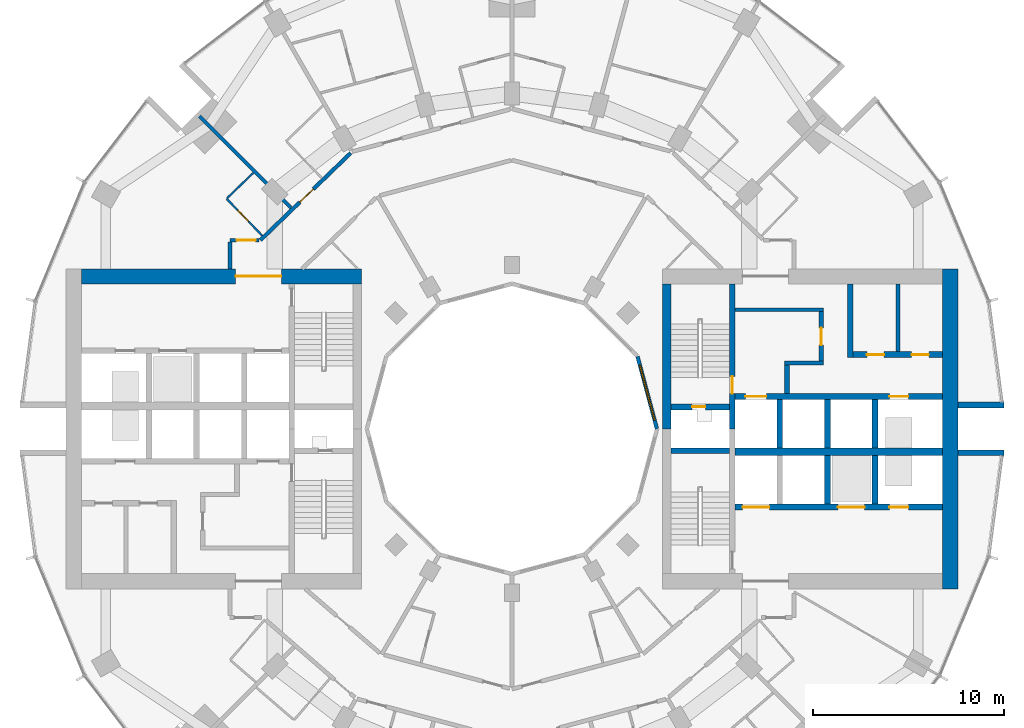
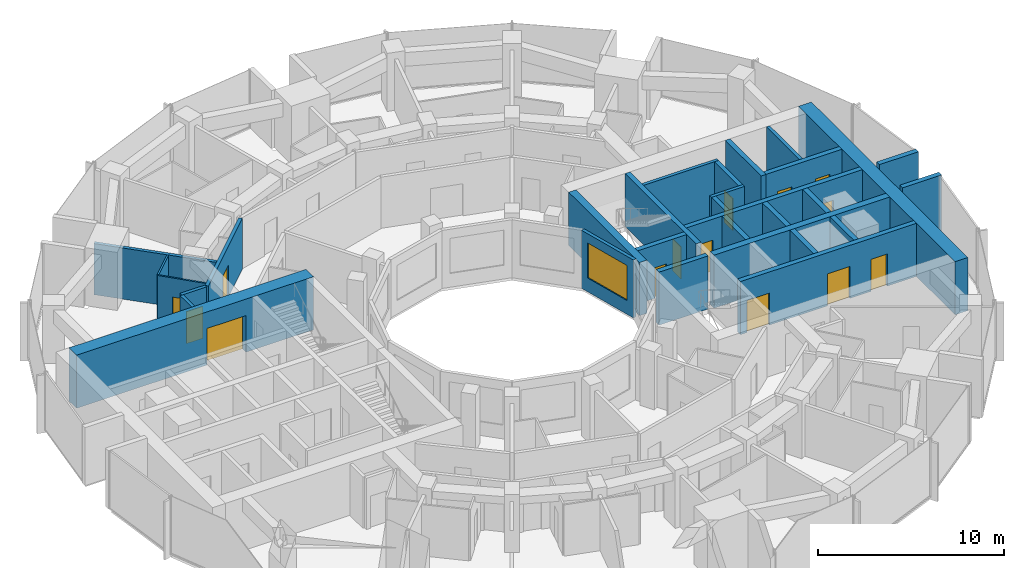
# One storey, part 11 of 15: 30 walls, 14 doors, 1 window, 15 openings.
"""IFC4 building model written with IfcOpenShell, lengths in metres."""

from ifc_helpers import new_model, si_unit, direction, frame, frame_2d, origin, place, context, subcontext, project, spatial, rectangle, extrude, material, layer, layer_set, type_object, element, fill, save


model = new_model("IFC4")

# Units and contexts
model_context = context("Model", 3, precision=1e-05, world=origin(), true_north=direction((0.0, 1.0)))
body_context = subcontext(model_context, "Body", "Model", "MODEL_VIEW")
ifc_project = project(units=[si_unit("LENGTHUNIT", "METRE"), si_unit("AREAUNIT", "SQUARE_METRE"), si_unit("VOLUMEUNIT", "CUBIC_METRE"), si_unit("PLANEANGLEUNIT", "RADIAN"), si_unit("MASSUNIT", "GRAM", prefix="KILO")], contexts=[model_context])

# Site, building, storey
site_placement = place(None, origin())
site = spatial("IfcSite", under=ifc_project, at=site_placement, CompositionType="ELEMENT")
building_placement = place(site_placement, origin())
building = spatial("IfcBuilding", under=site, at=building_placement, Name="Torre Brocal", CompositionType="ELEMENT")
storey_placement = place(building_placement, frame((0.0, 0.0, 40.199951171875)))
storey = spatial("IfcBuildingStorey", under=building, at=storey_placement, Name="L08", CompositionType="ELEMENT", Elevation=40.199951171875)

# Walls
ifc_material_1 = material(Name="Masonry block", Category="masonry")
ifc_layer_1 = layer(ifc_material_1, 0.199951171875)
ifc_layer_set_1 = layer_set([ifc_layer_1], Name="Masonry block")
wall_type_1 = type_object("IfcWallType", Name="CORE PARTITION 200", PredefinedType="PARTITIONING", material=ifc_layer_set_1)
wall_1_placement = place(storey_placement, frame((100.25, 79.050048828125, 0.0), z_axis=(0.0, 0.0, 1.0), x_axis=(0.0, 1.0, 0.0)))
element("IfcWall", 1, at=wall_1_placement, inside=storey, type_object=wall_type_1, Name="Wall CP200", PredefinedType="PARTITIONING", context=body_context, shape_type="SweptSolid", body=[
    extrude(rectangle(XDim=3.550048828125, YDim=0.199951171875, at=frame_2d((1.77490234375, 0.0))), origin(), (0.0, 0.0, 1.0), 3.47998046875),
])
ifc_material_2 = material(Name="Concrete C80", Category="concrete")
ifc_layer_2 = layer(ifc_material_2, 0.199951171875)
ifc_layer_set_2 = layer_set([ifc_layer_2], Name="Concrete C80")
wall_type_2 = type_object("IfcWallType", Name="CORE WALL 200 C80", PredefinedType="SHEAR", material=ifc_layer_set_2)
wall_2_placement = place(storey_placement, frame((91.699951171875, 81.25, 0.0), z_axis=(0.0, 0.0, 1.0), x_axis=(1.0, 0.0, 0.0)))
element("IfcWall", 2, at=wall_2_placement, inside=storey, type_object=wall_type_2, Name="Wall CW200-80", PredefinedType="SHEAR", context=body_context, shape_type="SweptSolid", body=[
    extrude(rectangle(XDim=4.650146484375, YDim=0.199951171875, at=frame_2d((2.3251953125, 0.0))), origin(), (0.0, 0.0, 1.0), 3.47998046875),
])
wall_3_placement = place(storey_placement, frame((94.300048828125, 78.449951171875, 0.0), z_axis=(0.0, 0.0, 1.0), x_axis=(1.0, 0.0, 0.0)))
element("IfcWall", 3, at=wall_3_placement, inside=storey, type_object=wall_type_2, Name="Wall CW200-80", PredefinedType="SHEAR", context=body_context, shape_type="SweptSolid", body=[
    extrude(rectangle(XDim=2.050048828125, YDim=0.199951171875, at=frame_2d((1.02490234375, 0.0))), origin(), (0.0, 0.0, 1.0), 3.47998046875),
])

# Wall, opening, door
ifc_material_3 = material(Name="Concrete C80", Category="concrete")
ifc_layer_3 = layer(ifc_material_3, 0.25)
ifc_layer_set_3 = layer_set([ifc_layer_3], Name="Concrete C80")
wall_type_3 = type_object("IfcWallType", Name="CORE WALL 250 C80", PredefinedType="SHEAR", material=ifc_layer_set_3)
wall_4_placement = place(storey_placement, frame((96.22509765625, 78.550048828125, 0.0), z_axis=(0.0, 0.0, 1.0), x_axis=(0.0, 1.0, 0.0)))
wall_4 = element("IfcWall", 4, at=wall_4_placement, inside=storey, type_object=wall_type_3, Name="Wall CW250-80", PredefinedType="SHEAR", context=body_context, shape_type="SweptSolid", body=[
    extrude(rectangle(XDim=2.599853515625, YDim=0.25, at=frame_2d((1.2998046875, 0.0))), origin(), (0.0, 0.0, 1.0), 3.47998046875),
])
opening_1_placement = place(wall_4_placement, frame((0.85009765625, 0.0, 0.0)))
opening_1 = element("IfcOpeningElement", 5, at=opening_1_placement, cuts=wall_4, Name="Opening E-D15", PredefinedType="OPENING", context=body_context, shape_type="SweptSolid", body=[
    extrude(rectangle(XDim=0.89990234375, YDim=2.10009765625, at=frame_2d((0.449951171875, 1.050048828125))), frame((0.0, 0.135009765625, 0.0), z_axis=(0.0, -1.0, 0.0), x_axis=(1.0, 0.0, 0.0)), (0.0, 0.0, 1.0), 0.27001953125),
])
ifc_material_4 = material(Name="Steel A653", Category="steel")
door_type_1 = type_object("IfcDoorType", Name="LOBBY DOOR FD120 900X2100", OperationType="SINGLE_SWING_RIGHT", PredefinedType="DOOR", material=ifc_material_4)
door_1_placement = place(opening_1_placement, origin())
door_1 = element("IfcDoor", 6, at=door_1_placement, inside=storey, type_object=door_type_1, Name="Door E-D15", OperationType="SINGLE_SWING_LEFT", OverallHeight=2.10009765625, OverallWidth=0.89990234375, PredefinedType="DOOR", context=body_context, shape_type="SweptSolid", body=[
    extrude(rectangle(XDim=0.89990234375, YDim=2.10009765625, at=frame_2d((0.449951171875, 1.050048828125))), frame((0.0, 0.02490234375, 0.0), z_axis=(0.0, -1.0, 0.0), x_axis=(1.0, 0.0, 0.0)), (0.0, 0.0, 1.0), 0.050048828125),
])
fill(opening_1, door_1)

# Wall
wall_5_placement = place(storey_placement, frame((94.425048828125, 76.85009765625, 0.0), z_axis=(0.0, 0.0, 1.0), x_axis=(0.0, 1.0, 0.0)))
element("IfcWall", 7, at=wall_5_placement, inside=storey, type_object=wall_type_3, Name="Wall CW250-80", PredefinedType="SHEAR", context=body_context, shape_type="SweptSolid", body=[
    extrude(rectangle(XDim=1.5, YDim=0.25, at=frame_2d((0.75, 0.0))), origin(), (0.0, 0.0, 1.0), 3.47998046875),
])

# Wall, opening, door
ifc_material_5 = material(Name="Concrete C80", Category="concrete")
ifc_layer_4 = layer(ifc_material_5, 0.300048828125)
ifc_layer_set_4 = layer_set([ifc_layer_4], Name="Concrete C80")
wall_type_4 = type_object("IfcWallType", Name="CORE WALL 300 C80", PredefinedType="SHEAR", material=ifc_layer_set_4)
wall_6_placement = place(storey_placement, frame((91.550048828125, 75.0, 0.0), z_axis=(0.0, 0.0, 1.0), x_axis=(0.0, 1.0, 0.0)))
wall_6 = element("IfcWall", 8, at=wall_6_placement, inside=storey, type_object=wall_type_4, Name="Wall CW300-80", PredefinedType="SHEAR", context=body_context, shape_type="SweptSolid", body=[
    extrude(rectangle(XDim=7.60009765625, YDim=0.300048828125, at=frame_2d((3.800048828125, 0.0))), origin(), (0.0, 0.0, 1.0), 3.47998046875),
])
opening_2_placement = place(wall_6_placement, frame((1.85009765625, 0.0, 0.0)))
opening_2 = element("IfcOpeningElement", 9, at=opening_2_placement, cuts=wall_6, Name="Opening E-D02", PredefinedType="OPENING", context=body_context, shape_type="SweptSolid", body=[
    extrude(rectangle(XDim=0.89990234375, YDim=2.10009765625, at=frame_2d((0.449951171875, 1.050048828125))), frame((0.0, 0.159912109375, 0.0), z_axis=(0.0, -1.0, 0.0), x_axis=(1.0, 0.0, 0.0)), (0.0, 0.0, 1.0), 0.320068359375),
])
ifc_material_6 = material(Name="Steel A653", Category="steel")
door_type_2 = type_object("IfcDoorType", Name="STAIR DOOR FD120 900X2100", OperationType="SINGLE_SWING_RIGHT", PredefinedType="DOOR", material=ifc_material_6)
door_2_placement = place(opening_2_placement, origin())
door_2 = element("IfcDoor", 10, at=door_2_placement, inside=storey, type_object=door_type_2, Name="Door E-D02", OperationType="SINGLE_SWING_LEFT", OverallHeight=2.10009765625, OverallWidth=0.89990234375, PredefinedType="DOOR", context=body_context, shape_type="SweptSolid", body=[
    extrude(rectangle(XDim=0.89990234375, YDim=2.10009765625, at=frame_2d((0.449951171875, 1.050048828125))), frame((0.0, 0.02490234375, 0.0), z_axis=(0.0, -1.0, 0.0), x_axis=(1.0, 0.0, 0.0)), (0.0, 0.0, 1.0), 0.050048828125),
])
fill(opening_2, door_2)

wall_7_placement = place(storey_placement, frame((88.35009765625, 76.14990234375, 0.0), z_axis=(0.0, 0.0, 1.0), x_axis=(1.0, 0.0, 0.0)))
wall_7 = element("IfcWall", 11, at=wall_7_placement, inside=storey, type_object=wall_type_4, Name="Wall CW300-80", PredefinedType="SHEAR", context=body_context, shape_type="SweptSolid", body=[
    extrude(rectangle(XDim=3.0498046875, YDim=0.300048828125, at=frame_2d((1.52490234375, 0.0))), origin(), (0.0, 0.0, 1.0), 3.47998046875),
])
opening_3_placement = place(wall_7_placement, frame((1.10009765625, 0.0, 0.0)))
opening_3 = element("IfcOpeningElement", 12, at=opening_3_placement, cuts=wall_7, Name="Opening E-D01", PredefinedType="OPENING", context=body_context, shape_type="SweptSolid", body=[
    extrude(rectangle(XDim=0.699951171875, YDim=2.0, at=frame_2d((0.35009765625, 1.0))), frame((0.0, 0.159912109375, 0.0), z_axis=(0.0, -1.0, 0.0), x_axis=(1.0, 0.0, 0.0)), (0.0, 0.0, 1.0), 0.320068359375),
])
ifc_material_7 = material(Name="Steel A653", Category="steel")
door_type_3 = type_object("IfcDoorType", Name="RISER DOOR FD120 700X2000", OperationType="SINGLE_SWING_LEFT", PredefinedType="DOOR", material=ifc_material_7)
door_3_placement = place(opening_3_placement, frame((0.699951171875, 0.0, 0.0), z_axis=(0.0, 0.0, 1.0), x_axis=(-1.0, 0.0, 0.0)))
door_3 = element("IfcDoor", 13, at=door_3_placement, inside=storey, type_object=door_type_3, Name="Door E-D01", OperationType="SINGLE_SWING_RIGHT", OverallHeight=2.0, OverallWidth=0.699951171875, PredefinedType="DOOR", context=body_context, shape_type="SweptSolid", body=[
    extrude(rectangle(XDim=0.699951171875, YDim=2.0, at=frame_2d((0.35009765625, 1.0))), frame((0.0, 0.02490234375, 0.0), z_axis=(0.0, -1.0, 0.0), x_axis=(1.0, 0.0, 0.0)), (0.0, 0.0, 1.0), 0.050048828125),
])
fill(opening_3, door_3)

# Wall
wall_8_placement = place(storey_placement, frame((88.35009765625, 73.85009765625, 0.0), z_axis=(0.0, 0.0, 1.0), x_axis=(1.0, 0.0, 0.0)))
element("IfcWall", 14, at=wall_8_placement, inside=storey, type_object=wall_type_4, Name="Wall CW300-80", PredefinedType="SHEAR", context=body_context, shape_type="SweptSolid", body=[
    extrude(rectangle(XDim=3.0498046875, YDim=0.300048828125, at=frame_2d((1.52490234375, 0.0))), origin(), (0.0, 0.0, 1.0), 3.47998046875),
])

# Wall, openings, doors
wall_9_placement = place(storey_placement, frame((91.699951171875, 76.699951171875, 0.0), z_axis=(0.0, 0.0, 1.0), x_axis=(1.0, 0.0, 0.0)))
wall_9 = element("IfcWall", 15, at=wall_9_placement, inside=storey, type_object=wall_type_4, Name="Wall CW300-80", PredefinedType="SHEAR", context=body_context, shape_type="SweptSolid", body=[
    extrude(rectangle(XDim=10.900146484375, YDim=0.300048828125, at=frame_2d((5.4501953125, 0.0))), origin(), (0.0, 0.0, 1.0), 3.47998046875),
])
opening_4_placement = place(wall_9_placement, frame((0.550048828125, 0.0, 0.0)))
opening_4 = element("IfcOpeningElement", 16, at=opening_4_placement, cuts=wall_9, Name="Opening LD", PredefinedType="OPENING", context=body_context, shape_type="SweptSolid", body=[
    extrude(rectangle(XDim=1.10009765625, YDim=2.10009765625, at=frame_2d((0.550048828125, 1.050048828125))), frame((0.0, 0.159912109375, 0.0), z_axis=(0.0, -1.0, 0.0), x_axis=(1.0, 0.0, 0.0)), (0.0, 0.0, 1.0), 0.320068359375),
])
opening_5_placement = place(wall_9_placement, frame((8.10009765625, 0.0, 0.0)))
opening_5 = element("IfcOpeningElement", 17, at=opening_5_placement, cuts=wall_9, Name="Opening LD10", PredefinedType="OPENING", context=body_context, shape_type="SweptSolid", body=[
    extrude(rectangle(XDim=1.0, YDim=2.10009765625, at=frame_2d((0.5, 1.050048828125))), frame((0.0, 0.159912109375, 0.0), z_axis=(0.0, -1.0, 0.0), x_axis=(1.0, 0.0, 0.0)), (0.0, 0.0, 1.0), 0.320068359375),
])
ifc_material_8 = material(Name="Stainless steel AISI 316", Category="steel")
door_type_4 = type_object("IfcDoorType", Name="LIFT LANDING DOOR 1000X2100", OperationType="DOUBLE_DOOR_SLIDING", PredefinedType="DOOR", material=ifc_material_8)
door_4_placement = place(opening_5_placement, origin())
door_4 = element("IfcDoor", 18, at=door_4_placement, inside=storey, type_object=door_type_4, Name="Door LD10", OperationType="DOUBLE_DOOR_SLIDING", OverallHeight=2.10009765625, OverallWidth=1.0, PredefinedType="DOOR", context=body_context, shape_type="SweptSolid", body=[
    extrude(rectangle(XDim=1.0, YDim=2.10009765625, at=frame_2d((0.5, 1.050048828125))), frame((0.0, 0.02490234375, 0.0), z_axis=(0.0, -1.0, 0.0), x_axis=(1.0, 0.0, 0.0)), (0.0, 0.0, 1.0), 0.050048828125),
])
fill(opening_5, door_4)
ifc_material_9 = material(Name="Stainless steel AISI 316", Category="steel")
door_type_5 = type_object("IfcDoorType", Name="LIFT LANDING DOOR 1100X2100", OperationType="DOUBLE_DOOR_SLIDING", PredefinedType="DOOR", material=ifc_material_9)
door_5_placement = place(opening_4_placement, origin())
door_5 = element("IfcDoor", 19, at=door_5_placement, inside=storey, type_object=door_type_5, Name="Door LD", OperationType="DOUBLE_DOOR_SLIDING", OverallHeight=2.10009765625, OverallWidth=1.10009765625, PredefinedType="DOOR", context=body_context, shape_type="SweptSolid", body=[
    extrude(rectangle(XDim=1.10009765625, YDim=2.10009765625, at=frame_2d((0.550048828125, 1.050048828125))), frame((0.0, 0.02490234375, 0.0), z_axis=(0.0, -1.0, 0.0), x_axis=(1.0, 0.0, 0.0)), (0.0, 0.0, 1.0), 0.050048828125),
])
fill(opening_4, door_5)

wall_10_placement = place(storey_placement, frame((91.699951171875, 70.89990234375, 0.0), z_axis=(0.0, 0.0, 1.0), x_axis=(1.0, 0.0, 0.0)))
wall_10 = element("IfcWall", 20, at=wall_10_placement, inside=storey, type_object=wall_type_4, Name="Wall CW300-80", PredefinedType="SHEAR", context=body_context, shape_type="SweptSolid", body=[
    extrude(rectangle(XDim=10.900146484375, YDim=0.300048828125, at=frame_2d((5.4501953125, 0.0))), origin(), (0.0, 0.0, 1.0), 3.47998046875),
])
opening_6_placement = place(wall_10_placement, frame((0.39990234375, 0.0, 0.0)))
opening_6 = element("IfcOpeningElement", 21, at=opening_6_placement, cuts=wall_10, Name="Opening LD14", PredefinedType="OPENING", context=body_context, shape_type="SweptSolid", body=[
    extrude(rectangle(XDim=1.39990234375, YDim=2.10009765625, at=frame_2d((0.699951171875, 1.050048828125))), frame((0.0, 0.159912109375, 0.0), z_axis=(0.0, -1.0, 0.0), x_axis=(1.0, 0.0, 0.0)), (0.0, 0.0, 1.0), 0.320068359375),
])
opening_7_placement = place(wall_10_placement, frame((5.39990234375, 0.0, 0.0)))
opening_7 = element("IfcOpeningElement", 22, at=opening_7_placement, cuts=wall_10, Name="Opening LD14", PredefinedType="OPENING", context=body_context, shape_type="SweptSolid", body=[
    extrude(rectangle(XDim=1.39990234375, YDim=2.10009765625, at=frame_2d((0.699951171875, 1.050048828125))), frame((0.0, 0.159912109375, 0.0), z_axis=(0.0, -1.0, 0.0), x_axis=(1.0, 0.0, 0.0)), (0.0, 0.0, 1.0), 0.320068359375),
])
opening_8_placement = place(wall_10_placement, frame((8.10009765625, 0.0, 0.0)))
opening_8 = element("IfcOpeningElement", 23, at=opening_8_placement, cuts=wall_10, Name="Opening LD10", PredefinedType="OPENING", context=body_context, shape_type="SweptSolid", body=[
    extrude(rectangle(XDim=1.0, YDim=2.10009765625, at=frame_2d((0.5, 1.050048828125))), frame((0.0, 0.159912109375, 0.0), z_axis=(0.0, -1.0, 0.0), x_axis=(1.0, 0.0, 0.0)), (0.0, 0.0, 1.0), 0.320068359375),
])
door_6_placement = place(opening_8_placement, origin())
door_6 = element("IfcDoor", 24, at=door_6_placement, inside=storey, type_object=door_type_4, Name="Door LD10", OperationType="DOUBLE_DOOR_SLIDING", OverallHeight=2.10009765625, OverallWidth=1.0, PredefinedType="DOOR", context=body_context, shape_type="SweptSolid", body=[
    extrude(rectangle(XDim=1.0, YDim=2.10009765625, at=frame_2d((0.5, 1.050048828125))), frame((0.0, 0.02490234375, 0.0), z_axis=(0.0, -1.0, 0.0), x_axis=(1.0, 0.0, 0.0)), (0.0, 0.0, 1.0), 0.050048828125),
])
fill(opening_8, door_6)
ifc_material_10 = material(Name="Stainless steel AISI 316", Category="steel")
door_type_6 = type_object("IfcDoorType", Name="LIFT LANDING DOOR 1400X2100", OperationType="DOUBLE_DOOR_SLIDING", PredefinedType="DOOR", material=ifc_material_10)
door_7_placement = place(opening_6_placement, origin())
door_7 = element("IfcDoor", 25, at=door_7_placement, inside=storey, type_object=door_type_6, Name="Door LD14", OperationType="DOUBLE_DOOR_SLIDING", OverallHeight=2.10009765625, OverallWidth=1.39990234375, PredefinedType="DOOR", context=body_context, shape_type="SweptSolid", body=[
    extrude(rectangle(XDim=1.39990234375, YDim=2.10009765625, at=frame_2d((0.699951171875, 1.050048828125))), frame((0.0, 0.02490234375, 0.0), z_axis=(0.0, -1.0, 0.0), x_axis=(1.0, 0.0, 0.0)), (0.0, 0.0, 1.0), 0.050048828125),
])
fill(opening_6, door_7)
door_8_placement = place(opening_7_placement, origin())
door_8 = element("IfcDoor", 26, at=door_8_placement, inside=storey, type_object=door_type_6, Name="Door LD14", OperationType="DOUBLE_DOOR_SLIDING", OverallHeight=2.10009765625, OverallWidth=1.39990234375, PredefinedType="DOOR", context=body_context, shape_type="SweptSolid", body=[
    extrude(rectangle(XDim=1.39990234375, YDim=2.10009765625, at=frame_2d((0.699951171875, 1.050048828125))), frame((0.0, 0.02490234375, 0.0), z_axis=(0.0, -1.0, 0.0), x_axis=(1.0, 0.0, 0.0)), (0.0, 0.0, 1.0), 0.050048828125),
])
fill(opening_7, door_8)

# Walls
for number, where, z_axis, x_axis, name in (
    (27, (94.050048828125, 74.0, 0.0), (0.0, 0.0, 1.0), (0.0, 1.0, 0.0), "Wall CW300-80"),
    (28, (96.550048828125, 74.0, 0.0), (0.0, 0.0, 1.0), (0.0, 1.0, 0.0), "Wall CW300-80"),
    (29, (99.050048828125, 74.0, 0.0), (0.0, 0.0, 1.0), (0.0, 1.0, 0.0), "Wall CW300-80"),
    (30, (96.550048828125, 71.050048828125, 0.0), (0.0, 0.0, 1.0), (0.0, 1.0, 0.0), "Wall CW300-80"),
    (31, (99.050048828125, 71.050048828125, 0.0), (0.0, 0.0, 1.0), (0.0, 1.0, 0.0), "Wall CW300-80"),
):
    element("IfcWall", number, at=place(storey_placement, frame(where, z_axis=z_axis, x_axis=x_axis)), inside=storey, type_object=wall_type_4, Name=name, PredefinedType="SHEAR", context=body_context, shape_type="SweptSolid", body=[
        extrude(rectangle(XDim=2.550048828125, YDim=0.300048828125, at=frame_2d((1.27490234375, 0.0))), origin(), (0.0, 0.0, 1.0), 3.47998046875),
    ])
wall_11_placement = place(storey_placement, frame((97.75, 78.75, 0.0), z_axis=(0.0, 0.0, 1.0), x_axis=(0.0, 1.0, 0.0)))
element("IfcWall", 32, at=wall_11_placement, inside=storey, type_object=wall_type_4, Name="Wall CW300-80", PredefinedType="SHEAR", context=body_context, shape_type="SweptSolid", body=[
    extrude(rectangle(XDim=3.85009765625, YDim=0.300048828125, at=frame_2d((1.925048828125, 0.0))), origin(), (0.0, 0.0, 1.0), 3.47998046875),
])

# Wall, openings, doors
wall_12_placement = place(storey_placement, frame((97.89990234375, 78.89990234375, 0.0), z_axis=(0.0, 0.0, 1.0), x_axis=(1.0, 0.0, 0.0)))
wall_12 = element("IfcWall", 33, at=wall_12_placement, inside=storey, type_object=wall_type_4, Name="Wall CW300-80", PredefinedType="SHEAR", context=body_context, shape_type="SweptSolid", body=[
    extrude(rectangle(XDim=4.7001953125, YDim=0.300048828125, at=frame_2d((2.35009765625, 0.0))), origin(), (0.0, 0.0, 1.0), 3.47998046875),
])
opening_9_placement = place(wall_12_placement, frame((0.72509765625, 0.0, 0.0)))
opening_9 = element("IfcOpeningElement", 34, at=opening_9_placement, cuts=wall_12, Name="Opening E-D05", PredefinedType="OPENING", context=body_context, shape_type="SweptSolid", body=[
    extrude(rectangle(XDim=0.89990234375, YDim=2.10009765625, at=frame_2d((0.449951171875, 1.050048828125))), frame((0.0, 0.159912109375, 0.0), z_axis=(0.0, -1.0, 0.0), x_axis=(1.0, 0.0, 0.0)), (0.0, 0.0, 1.0), 0.320068359375),
])
opening_10_placement = place(wall_12_placement, frame((3.074951171875, 0.0, 0.0)))
opening_10 = element("IfcOpeningElement", 35, at=opening_10_placement, cuts=wall_12, Name="Opening E-D06", PredefinedType="OPENING", context=body_context, shape_type="SweptSolid", body=[
    extrude(rectangle(XDim=0.89990234375, YDim=2.10009765625, at=frame_2d((0.449951171875, 1.050048828125))), frame((0.0, 0.159912109375, 0.0), z_axis=(0.0, -1.0, 0.0), x_axis=(1.0, 0.0, 0.0)), (0.0, 0.0, 1.0), 0.320068359375),
])
ifc_material_11 = material(Name="Steel A653", Category="steel")
door_type_7 = type_object("IfcDoorType", Name="ROOM DOOR FD30S 900X2100", OperationType="SINGLE_SWING_LEFT", PredefinedType="DOOR", material=ifc_material_11)
door_9_placement = place(opening_9_placement, origin())
door_9 = element("IfcDoor", 36, at=door_9_placement, inside=storey, type_object=door_type_7, Name="Door E-D05", OperationType="SINGLE_SWING_RIGHT", OverallHeight=2.10009765625, OverallWidth=0.89990234375, PredefinedType="DOOR", context=body_context, shape_type="SweptSolid", body=[
    extrude(rectangle(XDim=0.89990234375, YDim=2.10009765625, at=frame_2d((0.449951171875, 1.050048828125))), frame((0.0, 0.02490234375, 0.0), z_axis=(0.0, -1.0, 0.0), x_axis=(1.0, 0.0, 0.0)), (0.0, 0.0, 1.0), 0.050048828125),
])
fill(opening_9, door_9)
door_10_placement = place(opening_10_placement, origin())
door_10 = element("IfcDoor", 37, at=door_10_placement, inside=storey, type_object=door_type_7, Name="Door E-D06", OperationType="SINGLE_SWING_LEFT", OverallHeight=2.10009765625, OverallWidth=0.89990234375, PredefinedType="DOOR", context=body_context, shape_type="SweptSolid", body=[
    extrude(rectangle(XDim=0.89990234375, YDim=2.10009765625, at=frame_2d((0.449951171875, 1.050048828125))), frame((0.0, 0.02490234375, 0.0), z_axis=(0.0, -1.0, 0.0), x_axis=(1.0, 0.0, 0.0)), (0.0, 0.0, 1.0), 0.050048828125),
])
fill(opening_10, door_10)

# Walls
ifc_material_12 = material(Name="Concrete C80", Category="concrete")
ifc_layer_5 = layer(ifc_material_12, 0.39990234375)
ifc_layer_set_5 = layer_set([ifc_layer_5], Name="Concrete C80")
wall_type_5 = type_object("IfcWallType", Name="CORE WALL 400 C80", PredefinedType="SHEAR", material=ifc_layer_set_5)
wall_13_placement = place(storey_placement, frame((91.699951171875, 73.800048828125, 0.0), z_axis=(0.0, 0.0, 1.0), x_axis=(1.0, 0.0, 0.0)))
element("IfcWall", 38, at=wall_13_placement, inside=storey, type_object=wall_type_5, Name="Wall CW400-80", PredefinedType="SHEAR", context=body_context, shape_type="SweptSolid", body=[
    extrude(rectangle(XDim=10.900146484375, YDim=0.39990234375, at=frame_2d((5.4501953125, 0.0))), origin(), (0.0, 0.0, 1.0), 3.47998046875),
])
ifc_material_13 = material(Name="Concrete C80", Category="concrete")
ifc_layer_6 = layer(ifc_material_13, 0.449951171875)
ifc_layer_set_6 = layer_set([ifc_layer_6], Name="Concrete C80")
wall_type_6 = type_object("IfcWallType", Name="CORE WALL 450 C80", PredefinedType="SHEAR", material=ifc_layer_set_6)
wall_14_placement = place(storey_placement, frame((88.125, 75.0, 0.0), z_axis=(0.0, 0.0, 1.0), x_axis=(0.0, 1.0, 0.0)))
element("IfcWall", 39, at=wall_14_placement, inside=storey, type_object=wall_type_6, Name="Wall CW450-80", PredefinedType="SHEAR", context=body_context, shape_type="SweptSolid", body=[
    extrude(rectangle(XDim=7.60009765625, YDim=0.449951171875, at=frame_2d((3.800048828125, 0.0))), origin(), (0.0, 0.0, 1.0), 3.47998046875),
])
ifc_material_14 = material(Name="Concrete C80", Category="concrete")
ifc_layer_7 = layer(ifc_material_14, 0.800048828125)
ifc_layer_set_7 = layer_set([ifc_layer_7], Name="Concrete C80")
wall_type_7 = type_object("IfcWallType", Name="CORE WALL 800 C80", PredefinedType="SHEAR", material=ifc_layer_set_7)
wall_15_placement = place(storey_placement, frame((103.0, 66.60009765625, 0.0), z_axis=(0.0, 0.0, 1.0), x_axis=(0.0, 1.0, 0.0)))
element("IfcWall", 40, at=wall_15_placement, inside=storey, type_object=wall_type_7, Name="Wall CW800-80", PredefinedType="SHEAR", context=body_context, shape_type="SweptSolid", body=[
    extrude(rectangle(XDim=16.7998046875, YDim=0.800048828125, at=frame_2d((8.39990234375, 0.0))), origin(), (0.0, 0.0, 1.0), 3.47998046875),
])

# Wall, opening, door
wall_16_placement = place(storey_placement, frame((72.10009765625, 83.0, 0.0), z_axis=(0.0, 0.0, 1.0), x_axis=(-1.0, 0.0, 0.0)))
wall_16 = element("IfcWall", 41, at=wall_16_placement, inside=storey, type_object=wall_type_7, Name="Wall CW800-80", PredefinedType="SHEAR", context=body_context, shape_type="SweptSolid", body=[
    extrude(rectangle(XDim=14.7001953125, YDim=0.800048828125, at=frame_2d((7.35009765625, 0.0))), origin(), (0.0, 0.0, 1.0), 3.47998046875),
])
opening_11_placement = place(wall_16_placement, frame((4.199951171875, 0.0, 0.0)))
opening_11 = element("IfcOpeningElement", 42, at=opening_11_placement, cuts=wall_16, Name="Opening W-D27", PredefinedType="OPENING", context=body_context, shape_type="SweptSolid", body=[
    extrude(rectangle(XDim=2.39990234375, YDim=2.39990234375, at=frame_2d((1.199951171875, 1.199951171875))), frame((0.0, 0.409912109375, 0.0), z_axis=(0.0, -1.0, 0.0), x_axis=(1.0, 0.0, 0.0)), (0.0, 0.0, 1.0), 0.820068359375),
])
ifc_material_15 = material(Name="Steel A653", Category="steel")
door_type_8 = type_object("IfcDoorType", Name="DOUBLE FIRE DOOR FD90 2400X2400", OperationType="DOUBLE_DOOR_SINGLE_SWING", PredefinedType="DOOR", material=ifc_material_15)
door_11_placement = place(opening_11_placement, origin())
door_11 = element("IfcDoor", 43, at=door_11_placement, inside=storey, type_object=door_type_8, Name="Door W-D27", OperationType="DOUBLE_DOOR_SINGLE_SWING", OverallHeight=2.39990234375, OverallWidth=2.39990234375, PredefinedType="DOOR", context=body_context, shape_type="SweptSolid", body=[
    extrude(rectangle(XDim=2.39990234375, YDim=2.39990234375, at=frame_2d((1.199951171875, 1.199951171875))), frame((0.0, 0.02490234375, 0.0), z_axis=(0.0, -1.0, 0.0), x_axis=(1.0, 0.0, 0.0)), (0.0, 0.0, 1.0), 0.050048828125),
])
fill(opening_11, door_11)

# Walls
ifc_material_16 = material(Name="Concrete C80", Category="concrete")
ifc_layer_8 = layer(ifc_material_16, 0.300048828125)
ifc_layer_set_8 = layer_set([ifc_layer_8], Name="Concrete C80")
wall_type_8 = type_object("IfcWallType", Name="NOTCH RETURN WALL 300 C80", PredefinedType="NOTDEFINED", material=ifc_layer_set_8)
for number, where, z_axis, x_axis, name in (
    (44, (103.39990234375, 73.75, 0.0), (0.0, 0.0, 1.0), (1.0, 0.0, 0.0), "NOTCH RETURN WALL"),
    (45, (103.39990234375, 76.25, 0.0), (0.0, 0.0, 1.0), (1.0, 0.0, 0.0), "NOTCH RETURN WALL"),
):
    element("IfcWall", number, at=place(storey_placement, frame(where, z_axis=z_axis, x_axis=x_axis)), inside=storey, type_object=wall_type_8, Name=name, PredefinedType="NOTDEFINED", context=body_context, shape_type="SweptSolid", body=[
        extrude(rectangle(XDim=2.415771484375, YDim=0.300048828125, at=frame_2d((1.2080078125, 0.0))), origin(), (0.0, 0.0, 1.0), 3.800048828125),
    ])
ifc_material_17 = material(Name="Gypsum board", Category="Gypsum")
ifc_layer_9 = layer(ifc_material_17, 0.10009765625)
ifc_layer_set_9 = layer_set([ifc_layer_9], Name="Gypsum board")
wall_type_9 = type_object("IfcWallType", Name="PARTITION 100", PredefinedType="PARTITIONING", material=ifc_layer_set_9)
wall_17_placement = place(storey_placement, frame((65.05810546875, 87.113525390625, 0.0), z_axis=(0.0, 0.0, 1.0), x_axis=(0.719715847356, 0.694268751324, 0.0)))
element("IfcWall", 46, at=wall_17_placement, inside=storey, type_object=wall_type_9, Name="BATHROOM WALL", PredefinedType="PARTITIONING", context=body_context, shape_type="SweptSolid", body=[
    extrude(rectangle(XDim=1.899658203125, YDim=0.10009765625, at=frame_2d((0.94970703125, 0.0))), origin(), (0.0, 0.0, 1.0), 3.35009765625),
])

# Wall, opening, door
wall_18_placement = place(storey_placement, frame((65.02197265625, 87.0791015625, 0.0), z_axis=(0.0, 0.0, 1.0), x_axis=(0.694287838235, -0.719697434815, 0.0)))
wall_18 = element("IfcWall", 47, at=wall_18_placement, inside=storey, type_object=wall_type_9, Name="BATHROOM WALL", PredefinedType="PARTITIONING", context=body_context, shape_type="SweptSolid", body=[
    extrude(rectangle(XDim=2.699951171875, YDim=0.10009765625, at=frame_2d((1.35009765625, 0.0))), origin(), (0.0, 0.0, 1.0), 3.35009765625),
])
opening_12_placement = place(wall_18_placement, frame((0.849853515625, 0.0, 0.0)))
opening_12 = element("IfcOpeningElement", 48, at=opening_12_placement, cuts=wall_18, Name="Opening H02-D17", PredefinedType="OPENING", context=body_context, shape_type="SweptSolid", body=[
    extrude(rectangle(XDim=0.800048828125, YDim=2.10009765625, at=frame_2d((0.39990234375, 1.050048828125))), frame((0.0, 0.06005859375, 0.0), z_axis=(0.0, -1.0, 0.0), x_axis=(1.0, 0.0, 0.0)), (0.0, 0.0, 1.0), 0.1201171875),
])
ifc_material_18 = material(Name="Timber", Category="wood")
door_type_9 = type_object("IfcDoorType", Name="BATHROOM DOOR 800X2100", OperationType="SINGLE_SWING_LEFT", PredefinedType="DOOR", material=ifc_material_18)
door_12_placement = place(opening_12_placement, origin())
door_12 = element("IfcDoor", 49, at=door_12_placement, inside=storey, type_object=door_type_9, Name="H02-D17", OperationType="SINGLE_SWING_LEFT", OverallHeight=2.10009765625, OverallWidth=0.800048828125, PredefinedType="DOOR", context=body_context, shape_type="SweptSolid", body=[
    extrude(rectangle(XDim=0.800048828125, YDim=2.10009765625, at=frame_2d((0.39990234375, 1.050048828125))), frame((0.0, 0.02490234375, 0.0), z_axis=(0.0, -1.0, 0.0), x_axis=(1.0, 0.0, 0.0)), (0.0, 0.0, 1.0), 0.050048828125),
])
fill(opening_12, door_12)

# Walls
ifc_material_19 = material(Name="Gypsum board", Category="Gypsum")
ifc_layer_10 = layer(ifc_material_19, 0.199951171875)
ifc_layer_set_10 = layer_set([ifc_layer_10], Name="Gypsum board")
wall_type_10 = type_object("IfcWallType", Name="PARTITION 200 EI60", PredefinedType="PARTITIONING", material=ifc_layer_set_10)
wall_19_placement = place(storey_placement, frame((63.5986328125, 91.408203125, 0.0), z_axis=(0.0, 0.0, 1.0), x_axis=(0.706981017422, -0.707232522587, 0.0)))
element("IfcWall", 50, at=wall_19_placement, inside=storey, type_object=wall_type_10, Name="BATHROOM WALL", PredefinedType="PARTITIONING", context=body_context, shape_type="SweptSolid", body=[
    extrude(rectangle(XDim=6.794921875, YDim=0.199951171875, at=frame_2d((3.3974609375, 0.0))), origin(), (0.0, 0.0, 1.0), 3.35009765625),
])
wall_20_placement = place(storey_placement, frame((65.199951171875, 83.40087890625, 0.0), z_axis=(0.0, 0.0, 1.0), x_axis=(0.0, 1.0, 0.0)))
element("IfcWall", 51, at=wall_20_placement, inside=storey, type_object=wall_type_10, Name="GUESTROOM CORRIDOR WALL", PredefinedType="PARTITIONING", context=body_context, shape_type="SweptSolid", body=[
    extrude(rectangle(XDim=1.399169921875, YDim=0.199951171875, at=frame_2d((0.69970703125, 0.0))), origin(), (0.0, 0.0, 1.0), 3.35009765625),
])

# Wall, opening, door
wall_21_placement = place(storey_placement, frame((65.199951171875, 84.89990234375, 0.0), z_axis=(0.0, 0.0, 1.0), x_axis=(1.0, 0.0, 0.0)))
wall_21 = element("IfcWall", 52, at=wall_21_placement, inside=storey, type_object=wall_type_10, Name="GUESTROOM CORRIDOR WALL", PredefinedType="PARTITIONING", context=body_context, shape_type="SweptSolid", body=[
    extrude(rectangle(XDim=1.5361328125, YDim=0.199951171875, at=frame_2d((0.76806640625, 0.0))), origin(), (0.0, 0.0, 1.0), 3.35009765625),
])
opening_13_placement = place(wall_21_placement, frame((0.346923828125, 0.0, 0.0)))
opening_13 = element("IfcOpeningElement", 53, at=opening_13_placement, cuts=wall_21, Name="Opening H02-D16", PredefinedType="OPENING", context=body_context, shape_type="SweptSolid", body=[
    extrude(rectangle(XDim=1.0, YDim=2.10009765625, at=frame_2d((0.5, 1.050048828125))), frame((0.0, 0.10986328125, 0.0), z_axis=(0.0, -1.0, 0.0), x_axis=(1.0, 0.0, 0.0)), (0.0, 0.0, 1.0), 0.219970703125),
])
ifc_material_20 = material(Name="Timber", Category="wood")
door_type_10 = type_object("IfcDoorType", Name="FLAT ENTRY DOOR FD30S 1000X2100", OperationType="SINGLE_SWING_RIGHT", PredefinedType="DOOR", material=ifc_material_20)
door_13_placement = place(opening_13_placement, origin())
door_13 = element("IfcDoor", 54, at=door_13_placement, inside=storey, type_object=door_type_10, Name="H02-D16", OperationType="SINGLE_SWING_LEFT", OverallHeight=2.10009765625, OverallWidth=1.0, PredefinedType="DOOR", context=body_context, shape_type="SweptSolid", body=[
    extrude(rectangle(XDim=1.0, YDim=2.10009765625, at=frame_2d((0.5, 1.050048828125))), frame((0.0, 0.02490234375, 0.0), z_axis=(0.0, -1.0, 0.0), x_axis=(1.0, 0.0, 0.0)), (0.0, 0.0, 1.0), 0.050048828125),
])
fill(opening_13, door_13)

wall_22_placement = place(storey_placement, frame((66.7958984375, 84.89990234375, 0.0), z_axis=(0.0, 0.0, 1.0), x_axis=(0.719690131178, 0.694295409092, 0.0)))
wall_22 = element("IfcWall", 55, at=wall_22_placement, inside=storey, type_object=wall_type_10, Name="GUESTROOM CORRIDOR WALL", PredefinedType="PARTITIONING", context=body_context, shape_type="SweptSolid", body=[
    extrude(rectangle(XDim=6.58544921875, YDim=0.199951171875, at=frame_2d((3.292724609375, 0.0))), origin(), (0.0, 0.0, 1.0), 3.35009765625),
])
opening_14_placement = place(wall_22_placement, frame((2.866943359375, 0.0, 0.0)))
opening_14 = element("IfcOpeningElement", 56, at=opening_14_placement, cuts=wall_22, Name="Opening H02-D14", PredefinedType="OPENING", context=body_context, shape_type="SweptSolid", body=[
    extrude(rectangle(XDim=1.0, YDim=2.10009765625, at=frame_2d((0.5, 1.050048828125))), frame((0.0, 0.10986328125, 0.0), z_axis=(0.0, -1.0, 0.0), x_axis=(1.0, 0.0, 0.0)), (0.0, 0.0, 1.0), 0.219970703125),
])
door_14_placement = place(opening_14_placement, origin())
door_14 = element("IfcDoor", 57, at=door_14_placement, inside=storey, type_object=door_type_10, Name="H02-D14", OperationType="SINGLE_SWING_LEFT", OverallHeight=2.10009765625, OverallWidth=1.0, PredefinedType="DOOR", context=body_context, shape_type="SweptSolid", body=[
    extrude(rectangle(XDim=1.0, YDim=2.10009765625, at=frame_2d((0.5, 1.050048828125))), frame((0.0, 0.02490234375, 0.0), z_axis=(0.0, -1.0, 0.0), x_axis=(1.0, 0.0, 0.0)), (0.0, 0.0, 1.0), 0.050048828125),
])
fill(opening_14, door_14)

# Wall, opening, window
ifc_material_21 = material(Name="Concrete C40", Category="concrete")
ifc_layer_11 = layer(ifc_material_21, 0.199951171875)
ifc_layer_set_11 = layer_set([ifc_layer_11], Name="Concrete C40")
wall_type_11 = type_object("IfcWallType", Name="WELL FACADE WALL 200", PredefinedType="NOTDEFINED", material=ifc_layer_set_11)
wall_23_placement = place(storey_placement, frame((87.603515625, 75.0, 0.0), z_axis=(0.0, 0.0, 1.0), x_axis=(-0.258789828301, 0.965933654434, 0.0)))
wall_23 = element("IfcWall", 58, at=wall_23_placement, inside=storey, type_object=wall_type_11, Name="WELL FACADE WALL", PredefinedType="NOTDEFINED", context=body_context, shape_type="SweptSolid", body=[
    extrude(rectangle(XDim=3.935791015625, YDim=0.199951171875, at=frame_2d((1.9677734375, 0.0))), origin(), (0.0, 0.0, 1.0), 3.800048828125),
])
opening_15_placement = place(wall_23_placement, frame((0.468017578125, 0.0, 0.89990234375)))
opening_15 = element("IfcOpeningElement", 59, at=opening_15_placement, cuts=wall_23, Name="Opening W1", PredefinedType="OPENING", context=body_context, shape_type="SweptSolid", body=[
    extrude(rectangle(XDim=3.0, YDim=2.300048828125, at=frame_2d((1.5, 1.14990234375))), frame((0.0, 0.10986328125, 0.0), z_axis=(0.0, -1.0, 0.0), x_axis=(1.0, 0.0, 0.0)), (0.0, 0.0, 1.0), 0.219970703125),
])
ifc_material_22 = material(Name="Aluminium and glass", Category="aluminium")
window_type = type_object("IfcWindowType", Name="WELL WINDOW 3000X2300", PartitioningType="SINGLE_PANEL", PredefinedType="WINDOW", material=ifc_material_22)
window_placement = place(opening_15_placement, origin())
window = element("IfcWindow", 60, at=window_placement, inside=storey, type_object=window_type, Name="WELL WINDOW 3000X2300", OverallHeight=2.300048828125, OverallWidth=3.0, PartitioningType="SINGLE_PANEL", PredefinedType="WINDOW", context=body_context, shape_type="SweptSolid", body=[
    extrude(rectangle(XDim=3.0, YDim=2.300048828125, at=frame_2d((1.5, 1.14990234375))), frame((0.0, 0.030029296875, 0.0), z_axis=(0.0, -1.0, 0.0), x_axis=(1.0, 0.0, 0.0)), (0.0, 0.0, 1.0), 0.06005859375),
])
fill(opening_15, window)

save(model, "model.ifc")
